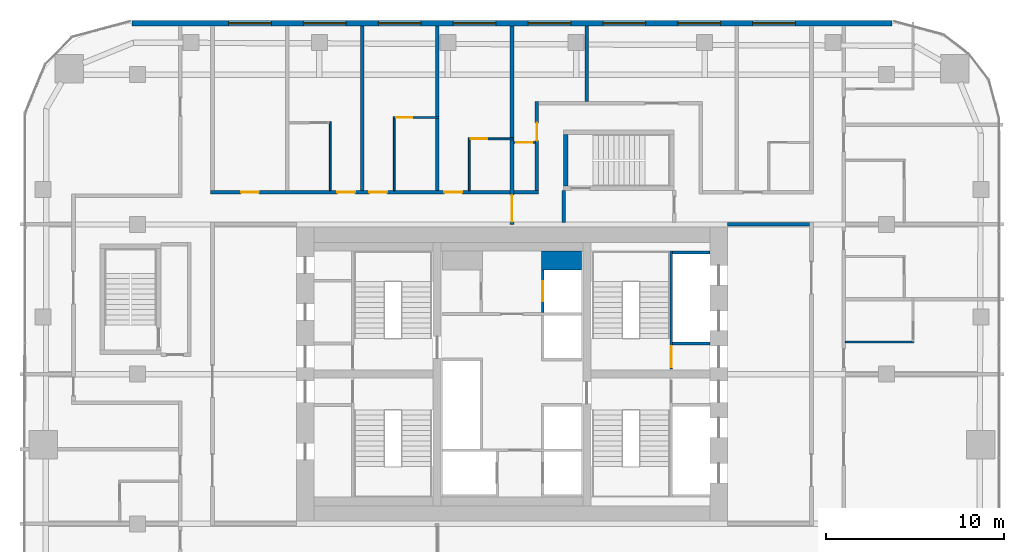
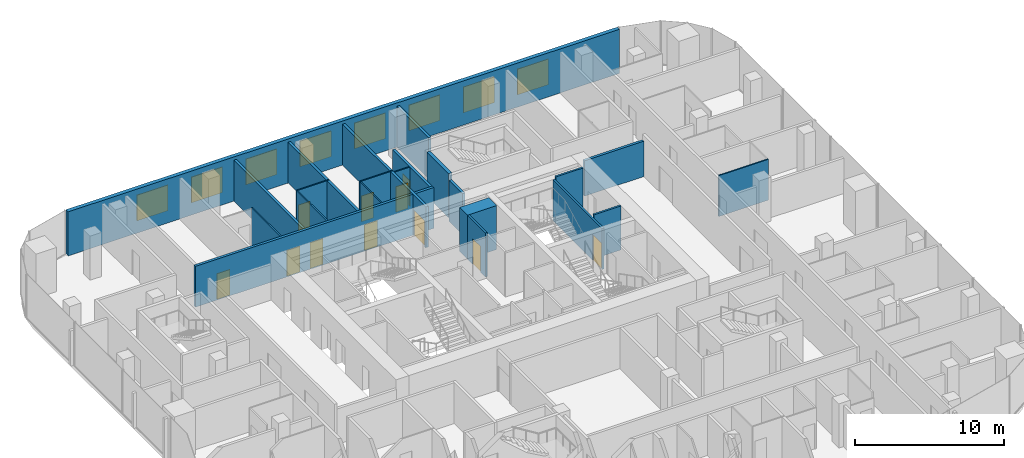
# One storey, part 19 of 23: 22 walls, 11 doors, 8 windows, 19 openings.
"""IFC4 building model written with IfcOpenShell, lengths in metres."""

from ifc_helpers import new_model, si_unit, direction, frame, frame_2d, origin, place, context, subcontext, project, spatial, rectangle, extrude, material, layer, layer_set, type_object, element, fill, save


model = new_model("IFC4")

# Units and contexts
model_context = context("Model", 3, precision=1e-05, world=origin(), true_north=direction((0.0, 1.0)))
body_context = subcontext(model_context, "Body", "Model", "MODEL_VIEW")
ifc_project = project(units=[si_unit("LENGTHUNIT", "METRE"), si_unit("AREAUNIT", "SQUARE_METRE"), si_unit("VOLUMEUNIT", "CUBIC_METRE"), si_unit("PLANEANGLEUNIT", "RADIAN"), si_unit("MASSUNIT", "GRAM", prefix="KILO")], contexts=[model_context])

# Site, building, storey
site_placement = place(None, origin())
site = spatial("IfcSite", under=ifc_project, at=site_placement, CompositionType="ELEMENT")
building_placement = place(site_placement, origin())
building = spatial("IfcBuilding", under=site, at=building_placement, Name="Marenta Gate Hotel Tower", CompositionType="ELEMENT")
storey_placement = place(building_placement, frame((0.0, 0.0, 104.89990234375)))
storey = spatial("IfcBuildingStorey", under=building, at=storey_placement, Name="L22", CompositionType="ELEMENT", Elevation=104.89990234375)

# Wall, openings, windows
ifc_material_1 = material(Name="Concrete C40 board-marked", Category="concrete")
ifc_layer_1 = layer(ifc_material_1, 0.300048828125)
ifc_layer_set_1 = layer_set([ifc_layer_1], Name="Concrete C40 board-marked")
wall_type_1 = type_object("IfcWallType", Name="Board-marked concrete wall 300 mm", PredefinedType="NOTDEFINED", material=ifc_layer_set_1)
wall_1_placement = place(storey_placement, frame((21.305908203125, 28.090087890625, 0.0), z_axis=(0.0, 0.0, 1.0), x_axis=(-1.0, 0.0, 0.0)))
wall_1 = element("IfcWall", 1, at=wall_1_placement, inside=storey, type_object=wall_type_1, Name="L22-CLD-N00", PredefinedType="NOTDEFINED", context=body_context, shape_type="SweptSolid", body=[
    extrude(rectangle(XDim=42.61181640625, YDim=0.300048828125, at=frame_2d((21.305908203125, 0.0))), origin(), (0.0, 0.0, 1.0), 3.60009765625),
])
opening_1_placement = place(wall_1_placement, frame((5.406005859375, 0.0, 0.89990234375)))
opening_1 = element("IfcOpeningElement", 2, at=opening_1_placement, cuts=wall_1, Name="Opening W1", PredefinedType="OPENING", context=body_context, shape_type="SweptSolid", body=[
    extrude(rectangle(XDim=2.39990234375, YDim=2.10009765625, at=frame_2d((1.199951171875, 1.050048828125))), frame((0.0, 0.14990234375, 0.0), z_axis=(0.0, -1.0, 0.0), x_axis=(1.0, 0.0, 0.0)), (0.0, 0.0, 1.0), 0.300048828125),
])
opening_2_placement = place(wall_1_placement, frame((9.60595703125, 0.0, 0.89990234375)))
opening_2 = element("IfcOpeningElement", 3, at=opening_2_placement, cuts=wall_1, Name="Opening W1", PredefinedType="OPENING", context=body_context, shape_type="SweptSolid", body=[
    extrude(rectangle(XDim=2.39990234375, YDim=2.10009765625, at=frame_2d((1.199951171875, 1.050048828125))), frame((0.0, 0.14990234375, 0.0), z_axis=(0.0, -1.0, 0.0), x_axis=(1.0, 0.0, 0.0)), (0.0, 0.0, 1.0), 0.300048828125),
])
opening_3_placement = place(wall_1_placement, frame((13.805908203125, 0.0, 0.89990234375)))
opening_3 = element("IfcOpeningElement", 4, at=opening_3_placement, cuts=wall_1, Name="Opening W1", PredefinedType="OPENING", context=body_context, shape_type="SweptSolid", body=[
    extrude(rectangle(XDim=2.39990234375, YDim=2.10009765625, at=frame_2d((1.199951171875, 1.050048828125))), frame((0.0, 0.14990234375, 0.0), z_axis=(0.0, -1.0, 0.0), x_axis=(1.0, 0.0, 0.0)), (0.0, 0.0, 1.0), 0.300048828125),
])
opening_4_placement = place(wall_1_placement, frame((18.005859375, 0.0, 0.89990234375)))
opening_4 = element("IfcOpeningElement", 5, at=opening_4_placement, cuts=wall_1, Name="Opening W1", PredefinedType="OPENING", context=body_context, shape_type="SweptSolid", body=[
    extrude(rectangle(XDim=2.39990234375, YDim=2.10009765625, at=frame_2d((1.199951171875, 1.050048828125))), frame((0.0, 0.14990234375, 0.0), z_axis=(0.0, -1.0, 0.0), x_axis=(1.0, 0.0, 0.0)), (0.0, 0.0, 1.0), 0.300048828125),
])
opening_5_placement = place(wall_1_placement, frame((22.205810546875, 0.0, 0.89990234375)))
opening_5 = element("IfcOpeningElement", 6, at=opening_5_placement, cuts=wall_1, Name="Opening W1", PredefinedType="OPENING", context=body_context, shape_type="SweptSolid", body=[
    extrude(rectangle(XDim=2.39990234375, YDim=2.10009765625, at=frame_2d((1.199951171875, 1.050048828125))), frame((0.0, 0.14990234375, 0.0), z_axis=(0.0, -1.0, 0.0), x_axis=(1.0, 0.0, 0.0)), (0.0, 0.0, 1.0), 0.300048828125),
])
opening_6_placement = place(wall_1_placement, frame((26.406005859375, 0.0, 0.89990234375)))
opening_6 = element("IfcOpeningElement", 7, at=opening_6_placement, cuts=wall_1, Name="Opening W1", PredefinedType="OPENING", context=body_context, shape_type="SweptSolid", body=[
    extrude(rectangle(XDim=2.39990234375, YDim=2.10009765625, at=frame_2d((1.199951171875, 1.050048828125))), frame((0.0, 0.14990234375, 0.0), z_axis=(0.0, -1.0, 0.0), x_axis=(1.0, 0.0, 0.0)), (0.0, 0.0, 1.0), 0.300048828125),
])
opening_7_placement = place(wall_1_placement, frame((30.60595703125, 0.0, 0.89990234375)))
opening_7 = element("IfcOpeningElement", 8, at=opening_7_placement, cuts=wall_1, Name="Opening W1", PredefinedType="OPENING", context=body_context, shape_type="SweptSolid", body=[
    extrude(rectangle(XDim=2.39990234375, YDim=2.10009765625, at=frame_2d((1.199951171875, 1.050048828125))), frame((0.0, 0.14990234375, 0.0), z_axis=(0.0, -1.0, 0.0), x_axis=(1.0, 0.0, 0.0)), (0.0, 0.0, 1.0), 0.300048828125),
])
opening_8_placement = place(wall_1_placement, frame((34.805908203125, 0.0, 0.89990234375)))
opening_8 = element("IfcOpeningElement", 9, at=opening_8_placement, cuts=wall_1, Name="Opening W1", PredefinedType="OPENING", context=body_context, shape_type="SweptSolid", body=[
    extrude(rectangle(XDim=2.39990234375, YDim=2.10009765625, at=frame_2d((1.199951171875, 1.050048828125))), frame((0.0, 0.14990234375, 0.0), z_axis=(0.0, -1.0, 0.0), x_axis=(1.0, 0.0, 0.0)), (0.0, 0.0, 1.0), 0.300048828125),
])
ifc_material_2 = material(Name="Tinted insulated glass in bronze anodised frame", Category="glass")
window_type = type_object("IfcWindowType", Name="Window W1 2400x2100 bronze frame", PartitioningType="SINGLE_PANEL", PredefinedType="WINDOW", material=ifc_material_2)
window_1_placement = place(opening_1_placement, origin())
window_1 = element("IfcWindow", 10, at=window_1_placement, inside=storey, type_object=window_type, Name="Window W1", OverallHeight=2.10009765625, OverallWidth=2.39990234375, PartitioningType="SINGLE_PANEL", PredefinedType="WINDOW", context=body_context, shape_type="SweptSolid", body=[
    extrude(rectangle(XDim=2.39990234375, YDim=2.10009765625, at=frame_2d((1.199951171875, 1.050048828125))), frame((0.0, 0.030029296875, 0.0), z_axis=(0.0, -1.0, 0.0), x_axis=(1.0, 0.0, 0.0)), (0.0, 0.0, 1.0), 0.06005859375),
])
fill(opening_1, window_1)
window_2_placement = place(opening_2_placement, origin())
window_2 = element("IfcWindow", 11, at=window_2_placement, inside=storey, type_object=window_type, Name="Window W1", OverallHeight=2.10009765625, OverallWidth=2.39990234375, PartitioningType="SINGLE_PANEL", PredefinedType="WINDOW", context=body_context, shape_type="SweptSolid", body=[
    extrude(rectangle(XDim=2.39990234375, YDim=2.10009765625, at=frame_2d((1.199951171875, 1.050048828125))), frame((0.0, 0.030029296875, 0.0), z_axis=(0.0, -1.0, 0.0), x_axis=(1.0, 0.0, 0.0)), (0.0, 0.0, 1.0), 0.06005859375),
])
fill(opening_2, window_2)
window_3_placement = place(opening_3_placement, origin())
window_3 = element("IfcWindow", 12, at=window_3_placement, inside=storey, type_object=window_type, Name="Window W1", OverallHeight=2.10009765625, OverallWidth=2.39990234375, PartitioningType="SINGLE_PANEL", PredefinedType="WINDOW", context=body_context, shape_type="SweptSolid", body=[
    extrude(rectangle(XDim=2.39990234375, YDim=2.10009765625, at=frame_2d((1.199951171875, 1.050048828125))), frame((0.0, 0.030029296875, 0.0), z_axis=(0.0, -1.0, 0.0), x_axis=(1.0, 0.0, 0.0)), (0.0, 0.0, 1.0), 0.06005859375),
])
fill(opening_3, window_3)
window_4_placement = place(opening_4_placement, origin())
window_4 = element("IfcWindow", 13, at=window_4_placement, inside=storey, type_object=window_type, Name="Window W1", OverallHeight=2.10009765625, OverallWidth=2.39990234375, PartitioningType="SINGLE_PANEL", PredefinedType="WINDOW", context=body_context, shape_type="SweptSolid", body=[
    extrude(rectangle(XDim=2.39990234375, YDim=2.10009765625, at=frame_2d((1.199951171875, 1.050048828125))), frame((0.0, 0.030029296875, 0.0), z_axis=(0.0, -1.0, 0.0), x_axis=(1.0, 0.0, 0.0)), (0.0, 0.0, 1.0), 0.06005859375),
])
fill(opening_4, window_4)
window_5_placement = place(opening_5_placement, origin())
window_5 = element("IfcWindow", 14, at=window_5_placement, inside=storey, type_object=window_type, Name="Window W1", OverallHeight=2.10009765625, OverallWidth=2.39990234375, PartitioningType="SINGLE_PANEL", PredefinedType="WINDOW", context=body_context, shape_type="SweptSolid", body=[
    extrude(rectangle(XDim=2.39990234375, YDim=2.10009765625, at=frame_2d((1.199951171875, 1.050048828125))), frame((0.0, 0.030029296875, 0.0), z_axis=(0.0, -1.0, 0.0), x_axis=(1.0, 0.0, 0.0)), (0.0, 0.0, 1.0), 0.06005859375),
])
fill(opening_5, window_5)
window_6_placement = place(opening_6_placement, origin())
window_6 = element("IfcWindow", 15, at=window_6_placement, inside=storey, type_object=window_type, Name="Window W1", OverallHeight=2.10009765625, OverallWidth=2.39990234375, PartitioningType="SINGLE_PANEL", PredefinedType="WINDOW", context=body_context, shape_type="SweptSolid", body=[
    extrude(rectangle(XDim=2.39990234375, YDim=2.10009765625, at=frame_2d((1.199951171875, 1.050048828125))), frame((0.0, 0.030029296875, 0.0), z_axis=(0.0, -1.0, 0.0), x_axis=(1.0, 0.0, 0.0)), (0.0, 0.0, 1.0), 0.06005859375),
])
fill(opening_6, window_6)
window_7_placement = place(opening_7_placement, origin())
window_7 = element("IfcWindow", 16, at=window_7_placement, inside=storey, type_object=window_type, Name="Window W1", OverallHeight=2.10009765625, OverallWidth=2.39990234375, PartitioningType="SINGLE_PANEL", PredefinedType="WINDOW", context=body_context, shape_type="SweptSolid", body=[
    extrude(rectangle(XDim=2.39990234375, YDim=2.10009765625, at=frame_2d((1.199951171875, 1.050048828125))), frame((0.0, 0.030029296875, 0.0), z_axis=(0.0, -1.0, 0.0), x_axis=(1.0, 0.0, 0.0)), (0.0, 0.0, 1.0), 0.06005859375),
])
fill(opening_7, window_7)
window_8_placement = place(opening_8_placement, origin())
window_8 = element("IfcWindow", 17, at=window_8_placement, inside=storey, type_object=window_type, Name="Window W1", OverallHeight=2.10009765625, OverallWidth=2.39990234375, PartitioningType="SINGLE_PANEL", PredefinedType="WINDOW", context=body_context, shape_type="SweptSolid", body=[
    extrude(rectangle(XDim=2.39990234375, YDim=2.10009765625, at=frame_2d((1.199951171875, 1.050048828125))), frame((0.0, 0.030029296875, 0.0), z_axis=(0.0, -1.0, 0.0), x_axis=(1.0, 0.0, 0.0)), (0.0, 0.0, 1.0), 0.06005859375),
])
fill(opening_8, window_8)

# Wall, opening, door
ifc_material_3 = material(Name="Concrete blockwork", Category="masonry")
ifc_layer_2 = layer(ifc_material_3, 0.199951171875)
ifc_layer_set_2 = layer_set([ifc_layer_2], Name="Concrete blockwork")
wall_type_2 = type_object("IfcWallType", Name="Compartment wall 200 REI 180", PredefinedType="PARTITIONING", material=ifc_layer_set_2)
wall_2_placement = place(storey_placement, frame((0.0, 16.800048828125, 0.0), z_axis=(0.0, 0.0, 1.0), x_axis=(0.0, 1.0, 0.0)))
wall_2 = element("IfcWall", 18, at=wall_2_placement, inside=storey, type_object=wall_type_2, Name="L22-PTN-W072", PredefinedType="PARTITIONING", context=body_context, shape_type="SweptSolid", body=[
    extrude(rectangle(XDim=11.139892578125, YDim=0.199951171875, at=frame_2d((5.56982421875, 0.0))), origin(), (0.0, 0.0, 1.0), 3.340087890625),
])
opening_9_placement = place(wall_2_placement, frame((0.14990234375, 0.0, 0.0)))
opening_9 = element("IfcOpeningElement", 19, at=opening_9_placement, cuts=wall_2, Name="Opening G08-FD1", PredefinedType="OPENING", context=body_context, shape_type="SweptSolid", body=[
    extrude(rectangle(XDim=1.5, YDim=2.10009765625, at=frame_2d((0.75, 1.050048828125))), frame((0.0, 0.10009765625, 0.0), z_axis=(0.0, -1.0, 0.0), x_axis=(1.0, 0.0, 0.0)), (0.0, 0.0, 1.0), 0.199951171875),
])
ifc_material_4 = material(Name="Hollow steel door set", Category="steel")
door_type_1 = type_object("IfcDoorType", Name="Compartment fire door 1500x2100 EI 60", OperationType="DOUBLE_DOOR_DOUBLE_SWING", PredefinedType="DOOR", material=ifc_material_4)
door_1_placement = place(opening_9_placement, origin())
door_1 = element("IfcDoor", 20, at=door_1_placement, inside=storey, type_object=door_type_1, Name="L22-PD-FD01", OperationType="DOUBLE_DOOR_DOUBLE_SWING", OverallHeight=2.10009765625, OverallWidth=1.5, PredefinedType="DOOR", context=body_context, shape_type="SweptSolid", body=[
    extrude(rectangle(XDim=1.5, YDim=2.10009765625, at=frame_2d((0.75, 1.050048828125))), frame((0.0, 0.02490234375, 0.0), z_axis=(0.0, -1.0, 0.0), x_axis=(1.0, 0.0, 0.0)), (0.0, 0.0, 1.0), 0.050048828125),
])
fill(opening_9, door_1)

# Walls
ifc_material_5 = material(Name="Concrete blockwork", Category="masonry")
ifc_layer_3 = layer(ifc_material_5, 0.199951171875)
ifc_layer_set_3 = layer_set([ifc_layer_3], Name="Concrete blockwork")
wall_type_3 = type_object("IfcWallType", Name="Core boundary wall 200 REI 180", PredefinedType="PARTITIONING", material=ifc_layer_set_3)
wall_3_placement = place(storey_placement, frame((12.10009765625, 16.800048828125, 0.0), z_axis=(0.0, 0.0, 1.0), x_axis=(1.0, 0.0, 0.0)))
element("IfcWall", 21, at=wall_3_placement, inside=storey, type_object=wall_type_3, Name="L22-CP-EW-EN", PredefinedType="PARTITIONING", context=body_context, shape_type="SweptSolid", body=[
    extrude(rectangle(XDim=4.599853515625, YDim=0.199951171875, at=frame_2d((2.2998046875, 0.0))), origin(), (0.0, 0.0, 1.0), 2.89013671875),
])
ifc_material_6 = material(Name="Concrete C40", Category="concrete")
ifc_layer_4 = layer(ifc_material_6, 1.050048828125)
ifc_layer_set_4 = layer_set([ifc_layer_4], Name="Concrete C40")
wall_type_4 = type_object("IfcWallType", Name="Core shaft wall 1050 REI 180", PredefinedType="SHEAR", material=ifc_layer_set_4)
wall_4_placement = place(storey_placement, frame((1.64990234375, 14.77490234375, 0.0), z_axis=(0.0, 0.0, 1.0), x_axis=(1.0, 0.0, 0.0)))
element("IfcWall", 22, at=wall_4_placement, inside=storey, type_object=wall_type_4, Name="L22-SHF-CE-N-top", PredefinedType="SHEAR", context=body_context, shape_type="SweptSolid", body=[
    extrude(rectangle(XDim=2.25, YDim=1.050048828125, at=frame_2d((1.125, 0.0))), origin(), (0.0, 0.0, 1.0), 3.60009765625),
])
ifc_material_7 = material(Name="Concrete C40", Category="concrete")
ifc_layer_5 = layer(ifc_material_7, 0.14990234375)
ifc_layer_set_5 = layer_set([ifc_layer_5], Name="Concrete C40")
wall_type_5 = type_object("IfcWallType", Name="Core shaft wall 150 REI 180", PredefinedType="SHEAR", material=ifc_layer_set_5)
for number, where, z_axis, x_axis, name in (
    (23, (9.0, 10.125, 0.0), (0.0, 0.0, 1.0), (1.0, 0.0, 0.0), "L22-SHF-SW-EN-2"),
    (24, (9.0, 15.22509765625, 0.0), (0.0, 0.0, 1.0), (1.0, 0.0, 0.0), "L22-SHF-SW-EN-5"),
):
    element("IfcWall", number, at=place(storey_placement, frame(where, z_axis=z_axis, x_axis=x_axis)), inside=storey, type_object=wall_type_5, Name=name, PredefinedType="SHEAR", context=body_context, shape_type="SweptSolid", body=[
        extrude(rectangle(XDim=2.10009765625, YDim=0.14990234375, at=frame_2d((1.050048828125, 0.0))), origin(), (0.0, 0.0, 1.0), 3.60009765625),
    ])

# Wall, opening, door
wall_5_placement = place(storey_placement, frame((1.72509765625, 11.85009765625, 0.0), z_axis=(0.0, 0.0, 1.0), x_axis=(0.0, 1.0, 0.0)))
wall_5 = element("IfcWall", 25, at=wall_5_placement, inside=storey, type_object=wall_type_5, Name="L22-SHF-CE-N-front2", PredefinedType="SHEAR", context=body_context, shape_type="SweptSolid", body=[
    extrude(rectangle(XDim=2.39990234375, YDim=0.14990234375, at=frame_2d((1.199951171875, 0.0))), origin(), (0.0, 0.0, 1.0), 3.60009765625),
])
opening_10_placement = place(wall_5_placement, frame((0.64990234375, 0.0, 0.0)))
opening_10 = element("IfcOpeningElement", 26, at=opening_10_placement, cuts=wall_5, Name="Opening LD-FF2", PredefinedType="OPENING", context=body_context, shape_type="SweptSolid", body=[
    extrude(rectangle(XDim=1.10009765625, YDim=2.10009765625, at=frame_2d((0.550048828125, 1.050048828125))), frame((0.0, 0.074951171875, 0.0), z_axis=(0.0, -1.0, 0.0), x_axis=(1.0, 0.0, 0.0)), (0.0, 0.0, 1.0), 0.14990234375),
])
ifc_material_8 = material(Name="Steel", Category="steel")
door_type_2 = type_object("IfcDoorType", Name="Core lift landing door 1100x2100 E 60", OperationType="SLIDING_TO_LEFT", PredefinedType="DOOR", material=ifc_material_8)
door_2_placement = place(opening_10_placement, origin())
door_2 = element("IfcDoor", 27, at=door_2_placement, inside=storey, type_object=door_type_2, Name="LD-FF2", OperationType="SLIDING_TO_LEFT", OverallHeight=2.10009765625, OverallWidth=1.10009765625, PredefinedType="DOOR", context=body_context, shape_type="SweptSolid", body=[
    extrude(rectangle(XDim=1.10009765625, YDim=2.10009765625, at=frame_2d((0.550048828125, 1.050048828125))), frame((0.0, 0.02490234375, 0.0), z_axis=(0.0, -1.0, 0.0), x_axis=(1.0, 0.0, 0.0)), (0.0, 0.0, 1.0), 0.050048828125),
])
fill(opening_10, door_2)

ifc_material_9 = material(Name="Concrete C40", Category="concrete")
ifc_layer_6 = layer(ifc_material_9, 0.14990234375)
ifc_layer_set_6 = layer_set([ifc_layer_6], Name="Concrete C40")
wall_type_6 = type_object("IfcWallType", Name="Core stair enclosure wall 150 REI 180", PredefinedType="SHEAR", material=ifc_layer_set_6)
wall_6_placement = place(storey_placement, frame((8.925048828125, 8.699951171875, 0.0), z_axis=(0.0, 0.0, 1.0), x_axis=(0.0, 1.0, 0.0)))
wall_6 = element("IfcWall", 28, at=wall_6_placement, inside=storey, type_object=wall_type_6, Name="L22-SHF-SW-EN-3", PredefinedType="SHEAR", context=body_context, shape_type="SweptSolid", body=[
    extrude(rectangle(XDim=6.60009765625, YDim=0.14990234375, at=frame_2d((3.300048828125, 0.0))), origin(), (0.0, 0.0, 1.0), 3.340087890625),
])
opening_11_placement = place(wall_6_placement, frame((0.074951171875, 0.0, 0.0)))
opening_11 = element("IfcOpeningElement", 29, at=opening_11_placement, cuts=wall_6, Name="Opening SD-EN", PredefinedType="OPENING", context=body_context, shape_type="SweptSolid", body=[
    extrude(rectangle(XDim=1.199951171875, YDim=2.10009765625, at=frame_2d((0.60009765625, 1.050048828125))), frame((0.0, 0.074951171875, 0.0), z_axis=(0.0, -1.0, 0.0), x_axis=(1.0, 0.0, 0.0)), (0.0, 0.0, 1.0), 0.14990234375),
])
ifc_material_10 = material(Name="Steel", Category="steel")
door_type_3 = type_object("IfcDoorType", Name="Core stair door 1200x2100 FD60", OperationType="SINGLE_SWING_LEFT", PredefinedType="DOOR", material=ifc_material_10)
door_3_placement = place(opening_11_placement, origin())
door_3 = element("IfcDoor", 30, at=door_3_placement, inside=storey, type_object=door_type_3, Name="SD-EN", OperationType="SINGLE_SWING_LEFT", OverallHeight=2.10009765625, OverallWidth=1.199951171875, PredefinedType="DOOR", context=body_context, shape_type="SweptSolid", body=[
    extrude(rectangle(XDim=1.199951171875, YDim=2.10009765625, at=frame_2d((0.60009765625, 1.050048828125))), frame((0.0, 0.02490234375, 0.0), z_axis=(0.0, -1.0, 0.0), x_axis=(1.0, 0.0, 0.0)), (0.0, 0.0, 1.0), 0.050048828125),
])
fill(opening_11, door_3)

# Wall
ifc_material_11 = material(Name="Concrete C40", Category="concrete")
ifc_layer_7 = layer(ifc_material_11, 0.25)
ifc_layer_set_7 = layer_set([ifc_layer_7], Name="Concrete C40")
wall_type_7 = type_object("IfcWallType", Name="Remote stair enclosure wall 250 REI 180", PredefinedType="SHEAR", material=ifc_layer_set_7)
wall_7_placement = place(storey_placement, frame((3.02490234375, 18.949951171875, 0.10009765625), z_axis=(0.0, 0.0, 1.0), x_axis=(0.0, 1.0, 0.0)))
element("IfcWall", 31, at=wall_7_placement, inside=storey, type_object=wall_type_7, Name="L22-RS-Z2-4-W3", PredefinedType="SHEAR", context=body_context, shape_type="SweptSolid", body=[
    extrude(rectangle(XDim=2.900146484375, YDim=0.25, at=frame_2d((1.4501953125, 0.0))), origin(), (0.0, 0.0, 1.0), 3.60009765625),
])

# Wall, opening, door
ifc_material_12 = material(Name="Gypsum board on steel stud", Category="steel")
ifc_layer_8 = layer(ifc_material_12, 0.199951171875)
ifc_layer_set_8 = layer_set([ifc_layer_8], Name="Gypsum board on steel stud")
wall_type_8 = type_object("IfcWallType", Name="Room corridor wall 200 EI 60", PredefinedType="PARTITIONING", material=ifc_layer_set_8)
wall_8_placement = place(storey_placement, frame((1.39990234375, 18.699951171875, 0.0), z_axis=(0.0, 0.0, 1.0), x_axis=(0.0, 1.0, 0.0)))
wall_8 = element("IfcWall", 32, at=wall_8_placement, inside=storey, type_object=wall_type_8, Name="L22-PTN-W070", PredefinedType="PARTITIONING", context=body_context, shape_type="SweptSolid", body=[
    extrude(rectangle(XDim=5.0, YDim=0.199951171875, at=frame_2d((2.5, 0.0))), origin(), (0.0, 0.0, 1.0), 3.340087890625),
])
opening_12_placement = place(wall_8_placement, frame((2.800048828125, 0.0, 0.0)))
opening_12 = element("IfcOpeningElement", 33, at=opening_12_placement, cuts=wall_8, Name="Opening G08-32", PredefinedType="OPENING", context=body_context, shape_type="SweptSolid", body=[
    extrude(rectangle(XDim=1.0, YDim=2.10009765625, at=frame_2d((0.5, 1.050048828125))), frame((0.0, 0.10009765625, 0.0), z_axis=(0.0, -1.0, 0.0), x_axis=(1.0, 0.0, 0.0)), (0.0, 0.0, 1.0), 0.199951171875),
])
ifc_material_13 = material(Name="Timber door leaf", Category="wood")
door_type_4 = type_object("IfcDoorType", Name="Guest room door 1000x2100 EI 30", OperationType="NOTDEFINED", PredefinedType="DOOR", material=ifc_material_13)
door_4_placement = place(opening_12_placement, origin())
door_4 = element("IfcDoor", 34, at=door_4_placement, inside=storey, type_object=door_type_4, Name="L22-PD-D032", OperationType="SINGLE_SWING_RIGHT", OverallHeight=2.10009765625, OverallWidth=1.0, PredefinedType="DOOR", context=body_context, shape_type="SweptSolid", body=[
    extrude(rectangle(XDim=1.0, YDim=2.10009765625, at=frame_2d((0.5, 1.050048828125))), frame((0.0, 0.02490234375, 0.0), z_axis=(0.0, -1.0, 0.0), x_axis=(1.0, 0.0, 0.0)), (0.0, 0.0, 1.0), 0.050048828125),
])
fill(opening_12, door_4)

# Wall, openings, doors
wall_9_placement = place(storey_placement, frame((-16.89990234375, 18.60009765625, 0.0), z_axis=(0.0, 0.0, 1.0), x_axis=(1.0, 0.0, 0.0)))
wall_9 = element("IfcWall", 35, at=wall_9_placement, inside=storey, type_object=wall_type_8, Name="L22-PTN-W112", PredefinedType="PARTITIONING", context=body_context, shape_type="SweptSolid", body=[
    extrude(rectangle(XDim=18.39990234375, YDim=0.199951171875, at=frame_2d((9.199951171875, 0.0))), origin(), (0.0, 0.0, 1.0), 3.340087890625),
])
opening_13_placement = place(wall_9_placement, frame((1.699951171875, 0.0, 0.0)))
opening_13 = element("IfcOpeningElement", 36, at=opening_13_placement, cuts=wall_9, Name="Opening G08-25", PredefinedType="OPENING", context=body_context, shape_type="SweptSolid", body=[
    extrude(rectangle(XDim=1.0, YDim=2.10009765625, at=frame_2d((0.5, 1.050048828125))), frame((0.0, 0.10009765625, 0.0), z_axis=(0.0, -1.0, 0.0), x_axis=(1.0, 0.0, 0.0)), (0.0, 0.0, 1.0), 0.199951171875),
])
opening_14_placement = place(wall_9_placement, frame((7.10009765625, 0.0, 0.0)))
opening_14 = element("IfcOpeningElement", 37, at=opening_14_placement, cuts=wall_9, Name="Opening G08-26", PredefinedType="OPENING", context=body_context, shape_type="SweptSolid", body=[
    extrude(rectangle(XDim=1.0, YDim=2.10009765625, at=frame_2d((0.5, 1.050048828125))), frame((0.0, 0.10009765625, 0.0), z_axis=(0.0, -1.0, 0.0), x_axis=(1.0, 0.0, 0.0)), (0.0, 0.0, 1.0), 0.199951171875),
])
opening_15_placement = place(wall_9_placement, frame((8.89990234375, 0.0, 0.0)))
opening_15 = element("IfcOpeningElement", 38, at=opening_15_placement, cuts=wall_9, Name="Opening G08-28", PredefinedType="OPENING", context=body_context, shape_type="SweptSolid", body=[
    extrude(rectangle(XDim=1.0, YDim=2.10009765625, at=frame_2d((0.5, 1.050048828125))), frame((0.0, 0.10009765625, 0.0), z_axis=(0.0, -1.0, 0.0), x_axis=(1.0, 0.0, 0.0)), (0.0, 0.0, 1.0), 0.199951171875),
])
opening_16_placement = place(wall_9_placement, frame((13.10009765625, 0.0, 0.0)))
opening_16 = element("IfcOpeningElement", 39, at=opening_16_placement, cuts=wall_9, Name="Opening G08-30", PredefinedType="OPENING", context=body_context, shape_type="SweptSolid", body=[
    extrude(rectangle(XDim=1.0, YDim=2.10009765625, at=frame_2d((0.5, 1.050048828125))), frame((0.0, 0.10009765625, 0.0), z_axis=(0.0, -1.0, 0.0), x_axis=(1.0, 0.0, 0.0)), (0.0, 0.0, 1.0), 0.199951171875),
])
door_5_placement = place(opening_14_placement, origin())
door_5 = element("IfcDoor", 40, at=door_5_placement, inside=storey, type_object=door_type_4, Name="L22-PD-D026", OperationType="SINGLE_SWING_LEFT", OverallHeight=2.10009765625, OverallWidth=1.0, PredefinedType="DOOR", context=body_context, shape_type="SweptSolid", body=[
    extrude(rectangle(XDim=1.0, YDim=2.10009765625, at=frame_2d((0.5, 1.050048828125))), frame((0.0, 0.02490234375, 0.0), z_axis=(0.0, -1.0, 0.0), x_axis=(1.0, 0.0, 0.0)), (0.0, 0.0, 1.0), 0.050048828125),
])
fill(opening_14, door_5)
door_6_placement = place(opening_15_placement, origin())
door_6 = element("IfcDoor", 41, at=door_6_placement, inside=storey, type_object=door_type_4, Name="L22-PD-D028", OperationType="SINGLE_SWING_LEFT", OverallHeight=2.10009765625, OverallWidth=1.0, PredefinedType="DOOR", context=body_context, shape_type="SweptSolid", body=[
    extrude(rectangle(XDim=1.0, YDim=2.10009765625, at=frame_2d((0.5, 1.050048828125))), frame((0.0, 0.02490234375, 0.0), z_axis=(0.0, -1.0, 0.0), x_axis=(1.0, 0.0, 0.0)), (0.0, 0.0, 1.0), 0.050048828125),
])
fill(opening_15, door_6)
door_7_placement = place(opening_16_placement, origin())
door_7 = element("IfcDoor", 42, at=door_7_placement, inside=storey, type_object=door_type_4, Name="L22-PD-D030", OperationType="SINGLE_SWING_LEFT", OverallHeight=2.10009765625, OverallWidth=1.0, PredefinedType="DOOR", context=body_context, shape_type="SweptSolid", body=[
    extrude(rectangle(XDim=1.0, YDim=2.10009765625, at=frame_2d((0.5, 1.050048828125))), frame((0.0, 0.02490234375, 0.0), z_axis=(0.0, -1.0, 0.0), x_axis=(1.0, 0.0, 0.0)), (0.0, 0.0, 1.0), 0.050048828125),
])
fill(opening_16, door_7)
ifc_material_14 = material(Name="Timber door leaf", Category="wood")
door_type_5 = type_object("IfcDoorType", Name="Room amenity door 1000x2100 EI 30", OperationType="NOTDEFINED", PredefinedType="DOOR", material=ifc_material_14)
door_8_placement = place(opening_13_placement, origin())
door_8 = element("IfcDoor", 43, at=door_8_placement, inside=storey, type_object=door_type_5, Name="L22-PD-D025", OperationType="SINGLE_SWING_RIGHT", OverallHeight=2.10009765625, OverallWidth=1.0, PredefinedType="DOOR", context=body_context, shape_type="SweptSolid", body=[
    extrude(rectangle(XDim=1.0, YDim=2.10009765625, at=frame_2d((0.5, 1.050048828125))), frame((0.0, 0.02490234375, 0.0), z_axis=(0.0, -1.0, 0.0), x_axis=(1.0, 0.0, 0.0)), (0.0, 0.0, 1.0), 0.050048828125),
])
fill(opening_13, door_8)

# Walls
ifc_material_15 = material(Name="Concrete blockwork", Category="masonry")
ifc_layer_9 = layer(ifc_material_15, 0.199951171875)
ifc_layer_set_9 = layer_set([ifc_layer_9], Name="Concrete blockwork")
wall_type_9 = type_object("IfcWallType", Name="Room corridor wall 200 REI 180", PredefinedType="PARTITIONING", material=ifc_layer_set_9)
wall_10_placement = place(storey_placement, frame((2.89990234375, 16.89990234375, 0.0), z_axis=(0.0, 0.0, 1.0), x_axis=(0.0, 1.0, 0.0)))
element("IfcWall", 44, at=wall_10_placement, inside=storey, type_object=wall_type_9, Name="L22-PTN-W063", PredefinedType="PARTITIONING", context=body_context, shape_type="SweptSolid", body=[
    extrude(rectangle(XDim=1.800048828125, YDim=0.199951171875, at=frame_2d((0.89990234375, 0.0))), origin(), (0.0, 0.0, 1.0), 3.340087890625),
])
ifc_material_16 = material(Name="Gypsum board on steel stud", Category="steel")
ifc_layer_10 = layer(ifc_material_16, 0.10009765625)
ifc_layer_set_10 = layer_set([ifc_layer_10], Name="Gypsum board on steel stud")
wall_type_10 = type_object("IfcWallType", Name="Room partition 100", PredefinedType="PARTITIONING", material=ifc_layer_set_10)
wall_11_placement = place(storey_placement, frame((-2.39990234375, 18.699951171875, 0.0), z_axis=(0.0, 0.0, 1.0), x_axis=(0.0, 1.0, 0.0)))
element("IfcWall", 45, at=wall_11_placement, inside=storey, type_object=wall_type_10, Name="L22-PTN-W076", PredefinedType="PARTITIONING", context=body_context, shape_type="SweptSolid", body=[
    extrude(rectangle(XDim=2.85009765625, YDim=0.10009765625, at=frame_2d((1.425048828125, 0.0))), origin(), (0.0, 0.0, 1.0), 3.340087890625),
])
wall_12_placement = place(storey_placement, frame((-6.60009765625, 18.699951171875, 0.0), z_axis=(0.0, 0.0, 1.0), x_axis=(0.0, 1.0, 0.0)))
element("IfcWall", 46, at=wall_12_placement, inside=storey, type_object=wall_type_10, Name="L22-PTN-W084", PredefinedType="PARTITIONING", context=body_context, shape_type="SweptSolid", body=[
    extrude(rectangle(XDim=4.050048828125, YDim=0.10009765625, at=frame_2d((2.02490234375, 0.0))), origin(), (0.0, 0.0, 1.0), 3.340087890625),
])
for number, where, z_axis, x_axis, name in (
    (47, (-10.199951171875, 18.699951171875, 0.0), (0.0, 0.0, 1.0), (0.0, 1.0, 0.0), "L22-PTN-W092"),
    (48, (18.699951171875, 10.199951171875, 0.0), (0.0, 0.0, 1.0), (1.0, 0.0, 0.0), "L22-PTN-W093"),
):
    element("IfcWall", number, at=place(storey_placement, frame(where, z_axis=z_axis, x_axis=x_axis)), inside=storey, type_object=wall_type_10, Name=name, PredefinedType="PARTITIONING", context=body_context, shape_type="SweptSolid", body=[
        extrude(rectangle(XDim=3.85009765625, YDim=0.10009765625, at=frame_2d((1.925048828125, 0.0))), origin(), (0.0, 0.0, 1.0), 3.340087890625),
    ])

# Wall, opening, door
wall_13_placement = place(storey_placement, frame((0.10009765625, 21.39990234375, 0.0), z_axis=(0.0, 0.0, 1.0), x_axis=(1.0, 0.0, 0.0)))
wall_13 = element("IfcWall", 49, at=wall_13_placement, inside=storey, type_object=wall_type_10, Name="L22-PTN-W116", PredefinedType="PARTITIONING", context=body_context, shape_type="SweptSolid", body=[
    extrude(rectangle(XDim=1.199951171875, YDim=0.10009765625, at=frame_2d((0.60009765625, 0.0))), origin(), (0.0, 0.0, 1.0), 3.340087890625),
])
opening_17_placement = place(wall_13_placement, frame((0.14990234375, 0.0, 0.0)))
opening_17 = element("IfcOpeningElement", 50, at=opening_17_placement, cuts=wall_13, Name="Opening G08-33", PredefinedType="OPENING", context=body_context, shape_type="SweptSolid", body=[
    extrude(rectangle(XDim=0.89990234375, YDim=2.10009765625, at=frame_2d((0.449951171875, 1.050048828125))), frame((0.0, 0.050048828125, 0.0), z_axis=(0.0, -1.0, 0.0), x_axis=(1.0, 0.0, 0.0)), (0.0, 0.0, 1.0), 0.10009765625),
])
ifc_material_17 = material(Name="Timber door leaf", Category="wood")
door_type_6 = type_object("IfcDoorType", Name="Guest bathroom door 900x2100", OperationType="NOTDEFINED", PredefinedType="DOOR", material=ifc_material_17)
door_9_placement = place(opening_17_placement, origin())
door_9 = element("IfcDoor", 51, at=door_9_placement, inside=storey, type_object=door_type_6, Name="L22-PD-D033", OperationType="SINGLE_SWING_LEFT", OverallHeight=2.10009765625, OverallWidth=0.89990234375, PredefinedType="DOOR", context=body_context, shape_type="SweptSolid", body=[
    extrude(rectangle(XDim=0.89990234375, YDim=2.10009765625, at=frame_2d((0.449951171875, 1.050048828125))), frame((0.0, 0.02490234375, 0.0), z_axis=(0.0, -1.0, 0.0), x_axis=(1.0, 0.0, 0.0)), (0.0, 0.0, 1.0), 0.050048828125),
])
fill(opening_17, door_9)

wall_14_placement = place(storey_placement, frame((-2.449951171875, 21.60009765625, 0.0), z_axis=(0.0, 0.0, 1.0), x_axis=(1.0, 0.0, 0.0)))
wall_14 = element("IfcWall", 52, at=wall_14_placement, inside=storey, type_object=wall_type_10, Name="L22-PTN-W118", PredefinedType="PARTITIONING", context=body_context, shape_type="SweptSolid", body=[
    extrude(rectangle(XDim=2.550048828125, YDim=0.10009765625, at=frame_2d((1.27490234375, 0.0))), origin(), (0.0, 0.0, 1.0), 3.340087890625),
])
opening_18_placement = place(wall_14_placement, frame((0.14990234375, 0.0, 0.0)))
opening_18 = element("IfcOpeningElement", 53, at=opening_18_placement, cuts=wall_14, Name="Opening G08-31", PredefinedType="OPENING", context=body_context, shape_type="SweptSolid", body=[
    extrude(rectangle(XDim=0.89990234375, YDim=2.10009765625, at=frame_2d((0.449951171875, 1.050048828125))), frame((0.0, 0.050048828125, 0.0), z_axis=(0.0, -1.0, 0.0), x_axis=(1.0, 0.0, 0.0)), (0.0, 0.0, 1.0), 0.10009765625),
])
door_10_placement = place(opening_18_placement, origin())
door_10 = element("IfcDoor", 54, at=door_10_placement, inside=storey, type_object=door_type_6, Name="L22-PD-D031", OperationType="SINGLE_SWING_RIGHT", OverallHeight=2.10009765625, OverallWidth=0.89990234375, PredefinedType="DOOR", context=body_context, shape_type="SweptSolid", body=[
    extrude(rectangle(XDim=0.89990234375, YDim=2.10009765625, at=frame_2d((0.449951171875, 1.050048828125))), frame((0.0, 0.02490234375, 0.0), z_axis=(0.0, -1.0, 0.0), x_axis=(1.0, 0.0, 0.0)), (0.0, 0.0, 1.0), 0.050048828125),
])
fill(opening_18, door_10)

wall_15_placement = place(storey_placement, frame((-6.64990234375, 22.800048828125, 0.0), z_axis=(0.0, 0.0, 1.0), x_axis=(1.0, 0.0, 0.0)))
wall_15 = element("IfcWall", 55, at=wall_15_placement, inside=storey, type_object=wall_type_10, Name="L22-PTN-W126", PredefinedType="PARTITIONING", context=body_context, shape_type="SweptSolid", body=[
    extrude(rectangle(XDim=2.5498046875, YDim=0.10009765625, at=frame_2d((1.27490234375, 0.0))), origin(), (0.0, 0.0, 1.0), 3.340087890625),
])
opening_19_placement = place(wall_15_placement, frame((0.14990234375, 0.0, 0.0)))
opening_19 = element("IfcOpeningElement", 56, at=opening_19_placement, cuts=wall_15, Name="Opening G08-29", PredefinedType="OPENING", context=body_context, shape_type="SweptSolid", body=[
    extrude(rectangle(XDim=0.89990234375, YDim=2.10009765625, at=frame_2d((0.449951171875, 1.050048828125))), frame((0.0, 0.050048828125, 0.0), z_axis=(0.0, -1.0, 0.0), x_axis=(1.0, 0.0, 0.0)), (0.0, 0.0, 1.0), 0.10009765625),
])
door_11_placement = place(opening_19_placement, origin())
door_11 = element("IfcDoor", 57, at=door_11_placement, inside=storey, type_object=door_type_6, Name="L22-PD-D029", OperationType="SINGLE_SWING_RIGHT", OverallHeight=2.10009765625, OverallWidth=0.89990234375, PredefinedType="DOOR", context=body_context, shape_type="SweptSolid", body=[
    extrude(rectangle(XDim=0.89990234375, YDim=2.10009765625, at=frame_2d((0.449951171875, 1.050048828125))), frame((0.0, 0.02490234375, 0.0), z_axis=(0.0, -1.0, 0.0), x_axis=(1.0, 0.0, 0.0)), (0.0, 0.0, 1.0), 0.050048828125),
])
fill(opening_19, door_11)

# Walls
ifc_material_18 = material(Name="Gypsum board on steel stud", Category="steel")
ifc_layer_11 = layer(ifc_material_18, 0.199951171875)
ifc_layer_set_11 = layer_set([ifc_layer_11], Name="Gypsum board on steel stud")
wall_type_11 = type_object("IfcWallType", Name="Room party wall 200 EI 60", PredefinedType="PARTITIONING", material=ifc_layer_set_11)
wall_16_placement = place(storey_placement, frame((4.199951171875, 23.699951171875, 0.0), z_axis=(0.0, 0.0, 1.0), x_axis=(0.0, 1.0, 0.0)))
element("IfcWall", 58, at=wall_16_placement, inside=storey, type_object=wall_type_11, Name="L22-PTN-W060", PredefinedType="PARTITIONING", context=body_context, shape_type="SweptSolid", body=[
    extrude(rectangle(XDim=4.239990234375, YDim=0.199951171875, at=frame_2d((2.1201171875, 0.0))), origin(), (0.0, 0.0, 1.0), 3.340087890625),
])
for number, where, z_axis, x_axis, name in (
    (59, (-4.199951171875, 18.699951171875, 0.0), (0.0, 0.0, 1.0), (0.0, 1.0, 0.0), "L22-PTN-W079"),
    (60, (-8.39990234375, 18.699951171875, 0.0), (0.0, 0.0, 1.0), (0.0, 1.0, 0.0), "L22-PTN-W087"),
):
    element("IfcWall", number, at=place(storey_placement, frame(where, z_axis=z_axis, x_axis=x_axis)), inside=storey, type_object=wall_type_11, Name=name, PredefinedType="PARTITIONING", context=body_context, shape_type="SweptSolid", body=[
        extrude(rectangle(XDim=9.239990234375, YDim=0.199951171875, at=frame_2d((4.6201171875, 0.0))), origin(), (0.0, 0.0, 1.0), 3.340087890625),
    ])

save(model, "model.ifc")
